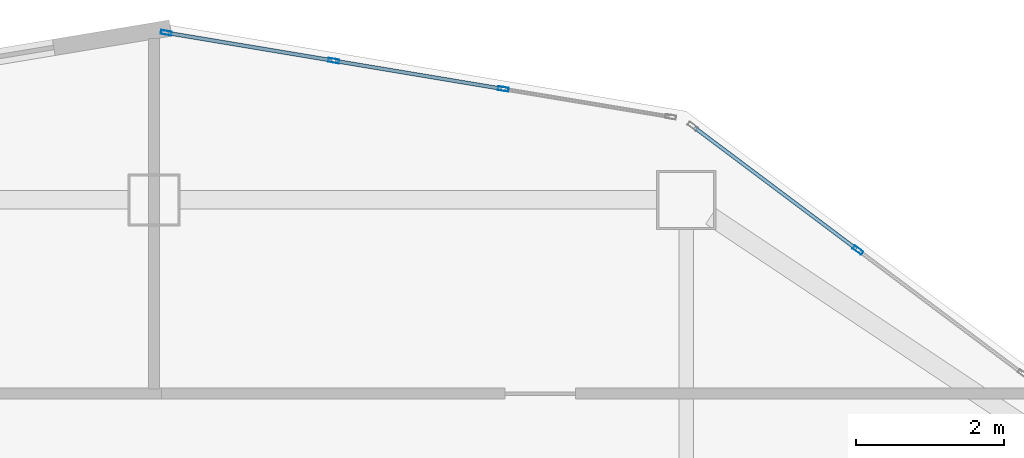
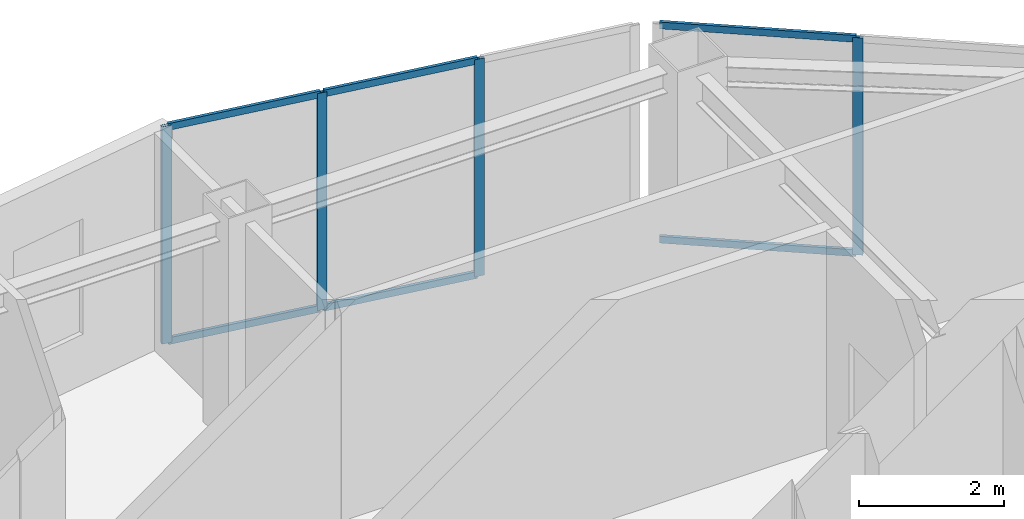
# One storey, part 2 of 9: 10 members, 2 elements without a shape of their own.
"""IFC4 building model written with IfcOpenShell, lengths in metres."""

import ifcopenshell
import ifcopenshell.guid

model = None  # the IFC model being written
_history = None  # IfcOwnerHistory: only IFC2X3 demands one
_inside = {}  # id of a spatial element -> (the spatial element, [elements in it])
_under = {}  # id of a project, library or spatial element -> (it, [spatial elements below it])
_declared = {}  # id of a project -> (the project, [libraries it declares])
_typed = {}  # id of a type object -> (the type object, [elements of that type])
_made_of = {}  # id of a material, layer set ... -> (it, [elements and type objects made of it])


def new_model(schema):
    """Start an empty IFC model of exactly this schema.

    Asked for "IFC4X3", IfcOpenShell would pick the latest addendum, in which some entities
    have other attributes; the version numbers below select the first issue.
    IFC2X3 requires an IfcOwnerHistory on every rooted entity: one is made here for all.
    """
    global model, _history
    if schema == "IFC4X3":
        model = ifcopenshell.file(schema_version=(4, 3, 0, 0))
    else:
        model = ifcopenshell.file(schema=schema)
    _inside.clear()
    _under.clear()
    _declared.clear()
    _typed.clear()
    _made_of.clear()
    _history = None
    if model.schema == "IFC2X3":
        org = make("IfcOrganization", Name="unknown")
        user = make(
            "IfcPersonAndOrganization",
            ThePerson=make("IfcPerson", FamilyName="unknown"),
            TheOrganization=org,
        )
        app = make(
            "IfcApplication",
            ApplicationDeveloper=org,
            Version="unknown",
            ApplicationFullName="unknown",
            ApplicationIdentifier="unknown",
        )
        _history = make(
            "IfcOwnerHistory",
            OwningUser=user,
            OwningApplication=app,
            ChangeAction="ADDED",
            CreationDate=0,
        )
    return model


def make(cls, **values):
    """One entity of the class cls with the attributes given. An attribute that is None is left unset."""
    return model.create_entity(
        cls, **{name: value for name, value in values.items() if value is not None}
    )


def rooted(cls, **values):
    """An entity with a GlobalId (a new one), such as an element, a storey or a relation."""
    return make(cls, GlobalId=ifcopenshell.guid.new(), OwnerHistory=_history, **values)


def si_unit(unit_type, name, prefix=None):
    """IfcSIUnit, for example si_unit("LENGTHUNIT", "METRE", prefix="MILLI")."""
    return make("IfcSIUnit", UnitType=unit_type, Prefix=prefix, Name=name)


def assignment(units):
    """IfcUnitAssignment: the units of a project."""
    return None if units is None else make("IfcUnitAssignment", Units=units)


def point(xyz):
    """IfcCartesianPoint."""
    return None if xyz is None else make("IfcCartesianPoint", Coordinates=xyz)


def direction(xyz):
    """IfcDirection."""
    return None if xyz is None else make("IfcDirection", DirectionRatios=xyz)


def frame(location, z_axis=None, x_axis=None):
    """IfcAxis2Placement3D, a coordinate frame: its origin and axes. An axis left out is left unset."""
    return make(
        "IfcAxis2Placement3D",
        Location=point(location),
        Axis=direction(z_axis),
        RefDirection=direction(x_axis),
    )


def frame_2d(location, x_axis=None):
    """IfcAxis2Placement2D, a coordinate frame in the plane: its origin and x axis."""
    return make(
        "IfcAxis2Placement2D", Location=point(location), RefDirection=direction(x_axis)
    )


def origin():
    """The frame at (0, 0, 0) with its axes left unset."""
    return frame((0.0, 0.0, 0.0))


def origin_2d():
    """The frame at (0, 0) in the plane with its x axis left unset."""
    return frame_2d((0.0, 0.0))


def place(relative_to, where):
    """IfcLocalPlacement: puts the frame where relative to a parent placement (None: the world)."""
    return make(
        "IfcLocalPlacement", PlacementRelTo=relative_to, RelativePlacement=where
    )


def context(
    kind, dimensions, precision=None, world=None, true_north=None, identifier=None
):
    """IfcGeometricRepresentationContext, for example the 3D "Model" context."""
    return make(
        "IfcGeometricRepresentationContext",
        ContextIdentifier=identifier,
        ContextType=kind,
        CoordinateSpaceDimension=dimensions,
        Precision=precision,
        WorldCoordinateSystem=world,
        TrueNorth=true_north,
    )


def subcontext(parent, identifier, kind, view, scale=None):
    """IfcGeometricRepresentationSubContext, for example "Body" below "Model"."""
    return make(
        "IfcGeometricRepresentationSubContext",
        ContextIdentifier=identifier,
        ContextType=kind,
        ParentContext=parent,
        TargetScale=scale,
        TargetView=view,
    )


def project(units=None, contexts=None):
    """IfcProject with its units and contexts."""
    return rooted(
        "IfcProject",
        Name="project",
        RepresentationContexts=contexts,
        UnitsInContext=assignment(units),
    )


def spatial(cls, under=None, at=None, **own):
    """A site, building, storey or space (cls), placed at a placement, below another one or the project."""
    s = rooted(cls, ObjectPlacement=at, **own)
    if under is not None:
        _under.setdefault(under.id(), (under, []))[1].append(s)
    return s


def profile(cls, at=None, kind="AREA", **sizes):
    """A parametric profile (cls). Its sizes go by their IFC names, for example OverallWidth=200.0."""
    return make(cls, ProfileType=kind, Position=at, **sizes)


def hollow_rectangle(**sizes):
    """IfcRectangleHollowProfileDef."""
    return profile("IfcRectangleHollowProfileDef", **sizes)


def extrude(swept, where, along, depth):
    """IfcExtrudedAreaSolid: the profile swept, set in the frame where, extruded along a direction by depth."""
    return make(
        "IfcExtrudedAreaSolid",
        SweptArea=swept,
        Position=where,
        ExtrudedDirection=direction(along),
        Depth=depth,
    )


def shape(context_of_items, identifier, shape_type, items):
    """IfcShapeRepresentation: the items that make up one representation, for example the "Body"."""
    return make(
        "IfcShapeRepresentation",
        ContextOfItems=context_of_items,
        RepresentationIdentifier=identifier,
        RepresentationType=shape_type,
        Items=items,
    )


def material(Name=None, Category=None):
    """IfcMaterial."""
    return make("IfcMaterial", Name=Name, Category=Category)


def layer(
    of_material, thickness, ventilated=None, Name=None, Category=None, Priority=None
):
    """IfcMaterialLayer: one layer of a wall or slab, of a material (None: an air gap)."""
    return make(
        "IfcMaterialLayer",
        Material=of_material,
        LayerThickness=thickness,
        IsVentilated=ventilated,
        Name=Name,
        Category=Category,
        Priority=Priority,
    )


def layer_set(layers, Name=None):
    """IfcMaterialLayerSet."""
    return make("IfcMaterialLayerSet", MaterialLayers=layers, LayerSetName=Name)


def material_profile(
    of_material, cross_section, Name=None, Category=None, Priority=None
):
    """IfcMaterialProfile: a cross section and its material."""
    return make(
        "IfcMaterialProfile",
        Name=Name,
        Material=of_material,
        Profile=cross_section,
        Priority=Priority,
        Category=Category,
    )


def profile_set(profiles, Name=None, composite=None):
    """IfcMaterialProfileSet."""
    return make(
        "IfcMaterialProfileSet",
        Name=Name,
        MaterialProfiles=profiles,
        CompositeProfile=composite,
    )


def made_of(thing, what):
    """Note that an element or type object is made of a material, layer set ...; save() writes the relation."""
    if what is not None:
        _made_of.setdefault(what.id(), (what, []))[1].append(thing)
    return thing


def type_object(cls, material=None, **own):
    """A type object (cls), such as IfcWallType, which elements share."""
    return made_of(rooted(cls, **own), material)


def element(
    cls,
    number,
    at=None,
    inside=None,
    cuts=None,
    type_object=None,
    material=None,
    context=None,
    identifier="Body",
    shape_type=None,
    held_by="IfcProductDefinitionShape",
    body=None,
    shapes=None,
    **own,
):
    """One element of the class cls, such as IfcWall. Its Tag is "e" and its number.

    at: its placement. inside: the storey or other place that contains it. cuts: it is an
    opening in that element (IfcRelVoidsElement). A single representation is given by context,
    identifier, shape_type and body (its items); several are given by shapes. held_by: the class
    of the entity that holds the representations. save() writes the other relations.
    """
    e = rooted(cls, Tag="e%d" % number, ObjectPlacement=at, **own)
    if body is not None:
        shapes = [shape(context, identifier, shape_type, body)]
    if shapes is not None:
        e.Representation = make(held_by, Representations=shapes)
    if inside is not None:
        _inside.setdefault(inside.id(), (inside, []))[1].append(e)
    if cuts is not None:
        rooted(
            "IfcRelVoidsElement", RelatingBuildingElement=cuts, RelatedOpeningElement=e
        )
    if type_object is not None:
        _typed.setdefault(type_object.id(), (type_object, []))[1].append(e)
    return made_of(e, material)


def aggregate(whole, parts):
    """IfcRelAggregates: a whole, such as a stair, and the parts it consists of."""
    return rooted("IfcRelAggregates", RelatingObject=whole, RelatedObjects=parts)


def save(model, path):
    """Write the relations noted so far, then the file.

    IfcRelAggregates (storeys below a building ...), IfcRelContainedInSpatialStructure (elements
    in a storey), IfcRelDefinesByType, IfcRelAssociatesMaterial and IfcRelDeclares: one each for
    every whole, place, type object, material and project.
    """
    for whole, parts in _under.values():
        aggregate(whole, parts)
    for where, things in _inside.values():
        rooted(
            "IfcRelContainedInSpatialStructure",
            RelatedElements=things,
            RelatingStructure=where,
        )
    for kind, things in _typed.values():
        rooted("IfcRelDefinesByType", RelatedObjects=things, RelatingType=kind)
    for what, things in _made_of.values():
        rooted("IfcRelAssociatesMaterial", RelatedObjects=things, RelatingMaterial=what)
    for by, libraries in _declared.values():
        rooted("IfcRelDeclares", RelatingContext=by, RelatedDefinitions=libraries)
    model.write(path)


model = new_model("IFC4")

# Units and contexts
model_context = context("Model", 3, precision=1e-05, world=origin(), true_north=direction((0.0, 1.0)))
body_context = subcontext(model_context, "Body", "Model", "MODEL_VIEW")
ifc_project = project(units=[si_unit("LENGTHUNIT", "METRE"), si_unit("AREAUNIT", "SQUARE_METRE"), si_unit("VOLUMEUNIT", "CUBIC_METRE"), si_unit("PLANEANGLEUNIT", "RADIAN"), si_unit("MASSUNIT", "GRAM", prefix="KILO")], contexts=[model_context])

# Site, building, storey
site_placement = place(None, origin())
site = spatial("IfcSite", under=ifc_project, at=site_placement, CompositionType="ELEMENT")
building_placement = place(site_placement, origin())
building = spatial("IfcBuilding", under=site, at=building_placement, Name="Haolan Belvedere Tower", CompositionType="ELEMENT")
storey_placement = place(building_placement, frame((0.0, 0.0, 242.89990234375)))
storey = spatial("IfcBuildingStorey", under=building, at=storey_placement, Name="L61", CompositionType="ELEMENT", Elevation=242.89990234375)

# Curtain wall, member
ifc_material_1 = material(Name="Anodised champagne-silver aluminium 6063-T6 and Low-E glass", Category="aluminium")
ifc_layer = layer(ifc_material_1, 0.14501953125, Name="Anodised champagne-silver aluminium 6063-T6 and Low-E glass")
ifc_layer_set = layer_set([ifc_layer], Name="Anodised champagne-silver aluminium 6063-T6 and Low-E glass")
curtain_wall_type = type_object("IfcCurtainWallType", Name="CW-SYS-05", PredefinedType="NOTDEFINED", material=ifc_layer_set)
curtain_wall_1_placement = place(storey_placement, origin())
curtain_wall_1 = element("IfcCurtainWall", 1, at=curtain_wall_1_placement, inside=storey, type_object=curtain_wall_type, Name="L61 CW-SYS-05 ribbon curtain wall 8.1", PredefinedType="NOTDEFINED")
ifc_material_2 = material(Name="Anodised aluminium 6063-T6", Category="aluminium")
ifc_material_profile_1 = material_profile(ifc_material_2, hollow_rectangle(XDim=0.053955078125, YDim=0.14501953125, WallThickness=0.00390625, at=origin_2d()), Name="Anodised aluminium 6063-T6")
ifc_profile_set_1 = profile_set([ifc_material_profile_1], Name="Anodised aluminium 6063-T6")
member_type_1 = type_object("IfcMemberType", Name="CW-SYS-05-MUL", PredefinedType="MULLION", material=ifc_profile_set_1)
member_1_placement = place(storey_placement, frame((47.9228515625, 49.720458984375, 0.0), z_axis=(0.0, 0.0, 1.0), x_axis=(-0.600002837806, -0.799997871638, 0.0)))
member_1 = element("IfcMember", 2, at=member_1_placement, type_object=member_type_1, Name="CW-05 mullion 2", PredefinedType="MULLION", context=body_context, shape_type="SweptSolid", body=[
    extrude(hollow_rectangle(XDim=0.053955078125, YDim=0.14501953125, WallThickness=0.00390625, at=origin_2d()), origin(), (0.0, 0.0, 1.0), 3.670166015625),
])

# Curtain wall, members
curtain_wall_2_placement = place(storey_placement, origin())
curtain_wall_2 = element("IfcCurtainWall", 3, at=curtain_wall_2_placement, inside=storey, type_object=curtain_wall_type, Name="L61 CW-SYS-05 ribbon curtain wall 9.1", PredefinedType="NOTDEFINED")
member_2_placement = place(storey_placement, frame((43.124267578125, 51.901123046875, 0.0), z_axis=(0.0, 0.0, 1.0), x_axis=(-0.164405962825, -0.98639276122, 0.0)))
member_2 = element("IfcMember", 4, at=member_2_placement, type_object=member_type_1, Name="CW-05 mullion 2", PredefinedType="MULLION", context=body_context, shape_type="SweptSolid", body=[
    extrude(hollow_rectangle(XDim=0.053955078125, YDim=0.14501953125, WallThickness=0.00390625, at=origin_2d()), origin(), (0.0, 0.0, 1.0), 3.670166015625),
])
member_3_placement = place(storey_placement, frame((40.831298828125, 52.283203125, 0.0), z_axis=(0.0, 0.0, 1.0), x_axis=(-0.164405962825, -0.98639276122, 0.0)))
member_3 = element("IfcMember", 5, at=member_3_placement, type_object=member_type_1, Name="CW-05 mullion 3", PredefinedType="MULLION", context=body_context, shape_type="SweptSolid", body=[
    extrude(hollow_rectangle(XDim=0.053955078125, YDim=0.14501953125, WallThickness=0.00390625, at=origin_2d()), origin(), (0.0, 0.0, 1.0), 3.670166015625),
])
member_4_placement = place(storey_placement, frame((38.564697265625, 52.6611328125, 0.0), z_axis=(0.0, 0.0, 1.0), x_axis=(-0.164405962825, -0.98639276122, 0.0)))
member_4 = element("IfcMember", 6, at=member_4_placement, type_object=member_type_1, Name="CW-05 mullion 4", PredefinedType="MULLION", context=body_context, shape_type="SweptSolid", body=[
    extrude(hollow_rectangle(XDim=0.053955078125, YDim=0.14501953125, WallThickness=0.00390625, at=origin_2d()), origin(), (0.0, 0.0, 1.0), 3.670166015625),
])

# Member
ifc_material_profile_2 = material_profile(ifc_material_2, hollow_rectangle(XDim=0.050048828125, YDim=0.114990234375, WallThickness=0.00390625, at=origin_2d()), Name="Anodised aluminium 6063-T6")
ifc_profile_set_2 = profile_set([ifc_material_profile_2], Name="Anodised aluminium 6063-T6")
member_type_2 = type_object("IfcMemberType", Name="CW-SYS-05-TRN", PredefinedType="USERDEFINED", material=ifc_profile_set_2)
member_5_placement = place(storey_placement, frame((47.901123046875, 49.736572265625, 0.025146484375), z_axis=(-0.8, 0.6, 0.0), x_axis=(-0.6, -0.8, 0.0)))
member_5 = element("IfcMember", 7, at=member_5_placement, type_object=member_type_2, Name="CW-05 transom 2.1", ObjectType="TRANSOM", PredefinedType="USERDEFINED", context=body_context, shape_type="SweptSolid", body=[
    extrude(hollow_rectangle(XDim=0.050048828125, YDim=0.114990234375, WallThickness=0.00390625, at=origin_2d()), origin(), (0.0, 0.0, 1.0), 2.738037109375),
])

member_6_placement = place(storey_placement, frame((47.901123046875, 49.736572265625, 3.64501953125), z_axis=(-0.8, 0.6, 0.0), x_axis=(-0.6, -0.8, 0.0)))
member_6 = element("IfcMember", 8, at=member_6_placement, type_object=member_type_2, Name="CW-05 transom 2.2", ObjectType="TRANSOM", PredefinedType="USERDEFINED", context=body_context, shape_type="SweptSolid", body=[
    extrude(hollow_rectangle(XDim=0.050048828125, YDim=0.114990234375, WallThickness=0.00390625, at=origin_2d()), origin(), (0.0, 0.0, 1.0), 2.738037109375),
])

aggregate(curtain_wall_1, [member_1, member_5, member_6])

member_7_placement = place(storey_placement, frame((43.09765625, 51.905517578125, 0.025146484375), z_axis=(-0.986393923832, 0.164398987305, 0.0), x_axis=(-0.164398987305, -0.986393923832, 0.0)))
member_7 = element("IfcMember", 9, at=member_7_placement, type_object=member_type_2, Name="CW-05 transom 2.1", ObjectType="TRANSOM", PredefinedType="USERDEFINED", context=body_context, shape_type="SweptSolid", body=[
    extrude(hollow_rectangle(XDim=0.050048828125, YDim=0.114990234375, WallThickness=0.00390625, at=origin_2d()), origin(), (0.0, 0.0, 1.0), 2.270751953125),
])

member_8_placement = place(storey_placement, frame((43.09765625, 51.905517578125, 3.64501953125), z_axis=(-0.986393923832, 0.164398987305, 0.0), x_axis=(-0.164398987305, -0.986393923832, 0.0)))
member_8 = element("IfcMember", 10, at=member_8_placement, type_object=member_type_2, Name="CW-05 transom 2.2", ObjectType="TRANSOM", PredefinedType="USERDEFINED", context=body_context, shape_type="SweptSolid", body=[
    extrude(hollow_rectangle(XDim=0.050048828125, YDim=0.114990234375, WallThickness=0.00390625, at=origin_2d()), origin(), (0.0, 0.0, 1.0), 2.270751953125),
])

member_9_placement = place(storey_placement, frame((40.8046875, 52.287841796875, 0.025146484375), z_axis=(-0.986393923832, 0.164398987305, 0.0), x_axis=(-0.164398987305, -0.986393923832, 0.0)))
member_9 = element("IfcMember", 11, at=member_9_placement, type_object=member_type_2, Name="CW-05 transom 3.1", ObjectType="TRANSOM", PredefinedType="USERDEFINED", context=body_context, shape_type="SweptSolid", body=[
    extrude(hollow_rectangle(XDim=0.050048828125, YDim=0.114990234375, WallThickness=0.00390625, at=origin_2d()), origin(), (0.0, 0.0, 1.0), 2.243896484375),
])

member_10_placement = place(storey_placement, frame((40.8046875, 52.287841796875, 3.64501953125), z_axis=(-0.986393923832, 0.164398987305, 0.0), x_axis=(-0.164398987305, -0.986393923832, 0.0)))
member_10 = element("IfcMember", 12, at=member_10_placement, type_object=member_type_2, Name="CW-05 transom 3.2", ObjectType="TRANSOM", PredefinedType="USERDEFINED", context=body_context, shape_type="SweptSolid", body=[
    extrude(hollow_rectangle(XDim=0.050048828125, YDim=0.114990234375, WallThickness=0.00390625, at=origin_2d()), origin(), (0.0, 0.0, 1.0), 2.243896484375),
])

aggregate(curtain_wall_2, [member_2, member_3, member_4, member_7, member_8, member_9, member_10])

save(model, "model.ifc")
